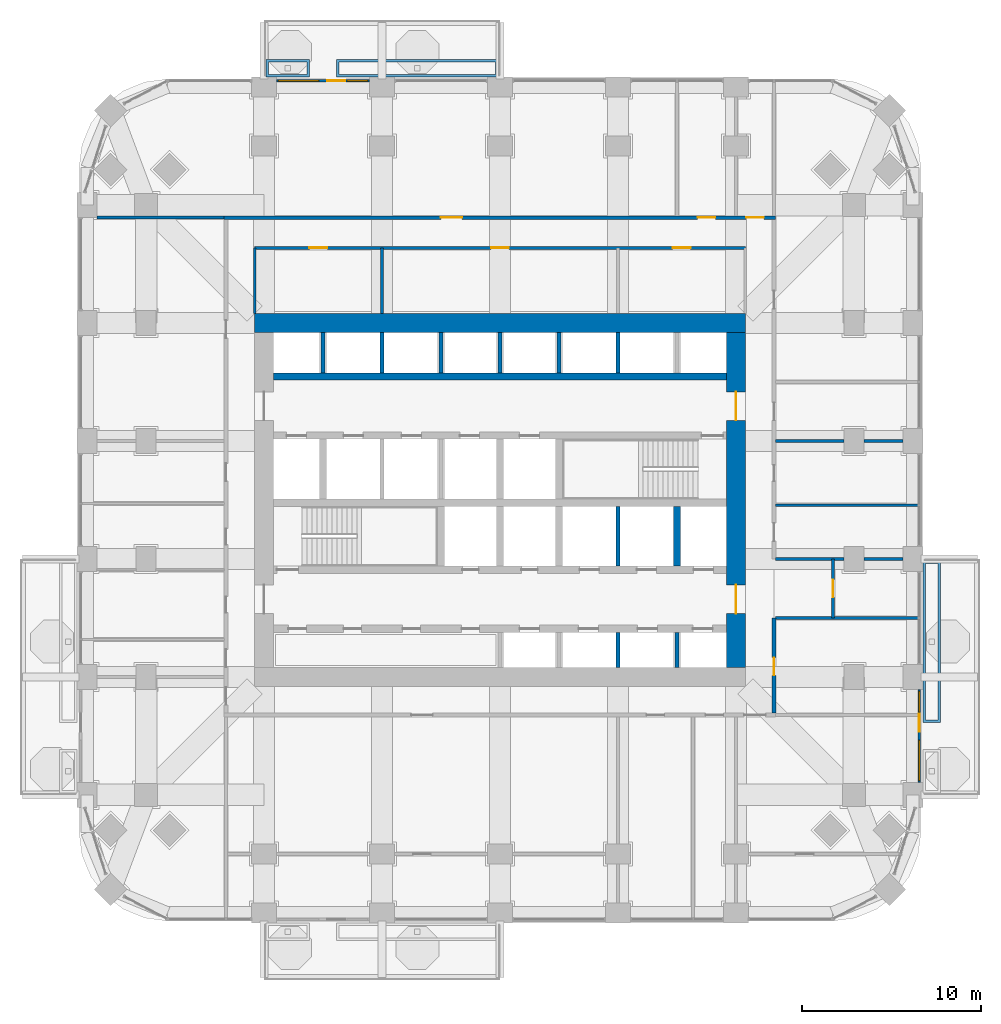
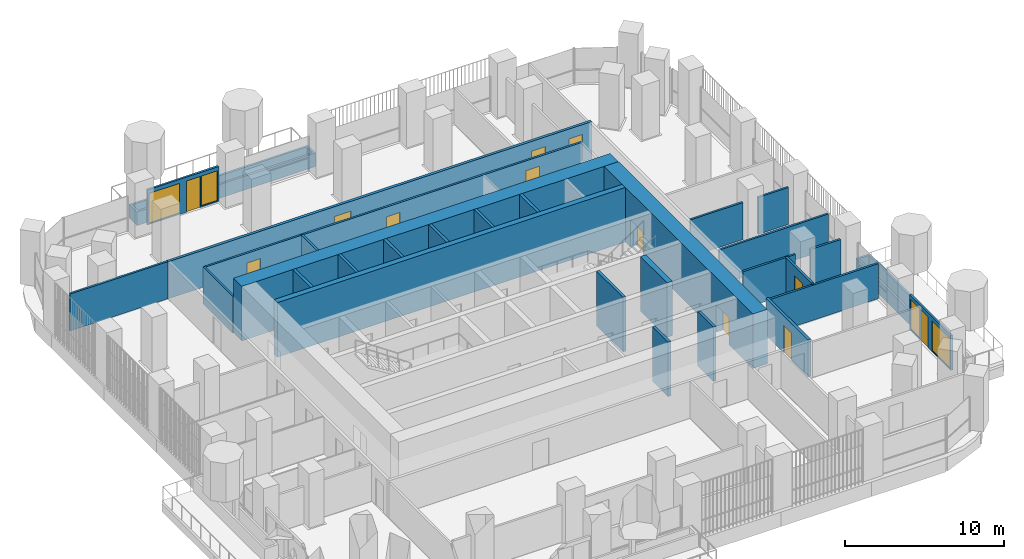
# One storey, part 15 of 21: 31 walls, 12 doors, 4 windows, 16 openings.
"""IFC4 building model written with IfcOpenShell, lengths in metres."""

from ifc_helpers import new_model, si_unit, direction, frame, frame_2d, origin, place, context, subcontext, project, spatial, polyline, rectangle, outline, extrude, material, layer, layer_set, type_object, element, fill, save


model = new_model("IFC4")

# Units and contexts
model_context = context("Model", 3, precision=1e-05, world=origin(), true_north=direction((0.0, 1.0)))
body_context = subcontext(model_context, "Body", "Model", "MODEL_VIEW")
ifc_project = project(units=[si_unit("LENGTHUNIT", "METRE"), si_unit("AREAUNIT", "SQUARE_METRE"), si_unit("VOLUMEUNIT", "CUBIC_METRE"), si_unit("PLANEANGLEUNIT", "RADIAN"), si_unit("MASSUNIT", "GRAM", prefix="KILO")], contexts=[model_context])

# Site, building, storey
site_placement = place(None, origin())
site = spatial("IfcSite", under=ifc_project, at=site_placement, CompositionType="ELEMENT")
building_placement = place(site_placement, origin())
building = spatial("IfcBuilding", under=site, at=building_placement, Name="Cobogo Forest Laboratory Tower", CompositionType="ELEMENT")
storey_placement = place(building_placement, frame((0.0, 0.0, 124.199951171875)))
storey = spatial("IfcBuildingStorey", under=building, at=storey_placement, Name="L28", CompositionType="ELEMENT", Elevation=124.199951171875)

# Walls
ifc_material_1 = material(Name="Concrete HA-50 (C50/60)", Category="concrete")
ifc_layer_1 = layer(ifc_material_1, 0.39990234375)
ifc_layer_set_1 = layer_set([ifc_layer_1], Name="CI400 core inner wall 400")
wall_type_1 = type_object("IfcWallType", Name="CI400 core inner wall 400", PredefinedType="SHEAR", material=ifc_layer_set_1)
wall_1_placement = place(storey_placement, frame((13.72509765625, 30.0, 0.0), z_axis=(0.0, 0.0, 1.0), x_axis=(1.0, 0.0, 0.0)))
element("IfcWall", 1, at=wall_1_placement, inside=storey, type_object=wall_type_1, Name="Core wall CI-30.0 L28", PredefinedType="SHEAR", context=body_context, shape_type="SweptSolid", body=[
    extrude(rectangle(XDim=25.349853515625, YDim=0.39990234375, at=frame_2d((12.6748046875, 0.0))), origin(), (0.0, 0.0, 1.0), 4.199951171875),
])
wall_2_placement = place(storey_placement, frame((36.300048828125, 19.39990234375, 0.0), z_axis=(0.0, 0.0, 1.0), x_axis=(0.0, 1.0, 0.0)))
element("IfcWall", 2, at=wall_2_placement, inside=storey, type_object=wall_type_1, Name="Core wall CX-36.3 L28", PredefinedType="SHEAR", context=body_context, shape_type="SweptSolid", body=[
    extrude(rectangle(XDim=3.35009765625, YDim=0.39990234375, at=frame_2d((1.675048828125, 0.0))), origin(), (0.0, 0.0, 1.0), 4.199951171875),
])

# Wall, openings, doors
ifc_layer_2 = layer(ifc_material_1, 1.050048828125)
ifc_layer_set_2 = layer_set([ifc_layer_2], Name="CW1050 core outer wall 1050")
wall_type_2 = type_object("IfcWallType", Name="CW1050 core outer wall 1050", PredefinedType="SHEAR", material=ifc_layer_set_2)
wall_3_placement = place(storey_placement, frame((39.60009765625, 13.72509765625, 0.0), z_axis=(0.0, 0.0, 1.0), x_axis=(0.0, 1.0, 0.0)))
wall_3 = element("IfcWall", 3, at=wall_3_placement, inside=storey, type_object=wall_type_2, Name="Core wall CO-E L28", PredefinedType="SHEAR", context=body_context, shape_type="SweptSolid", body=[
    extrude(rectangle(XDim=18.75, YDim=1.050048828125, at=frame_2d((9.375, 0.0))), origin(), (0.0, 0.0, 1.0), 4.199951171875),
])
opening_1_placement = place(wall_3_placement, frame((3.02490234375, 0.0, 0.0)))
opening_1 = element("IfcOpeningElement", 4, at=opening_1_placement, cuts=wall_3, Name="Opening L28-D19", PredefinedType="OPENING", context=body_context, shape_type="SweptSolid", body=[
    extrude(rectangle(XDim=1.60009765625, YDim=2.10009765625, at=frame_2d((0.800048828125, 1.050048828125))), frame((0.0, 0.534912109375, 0.0), z_axis=(0.0, -1.0, 0.0), x_axis=(1.0, 0.0, 0.0)), (0.0, 0.0, 1.0), 1.070068359375),
])
opening_2_placement = place(wall_3_placement, frame((13.824951171875, 0.0, 0.0)))
opening_2 = element("IfcOpeningElement", 5, at=opening_2_placement, cuts=wall_3, Name="Opening L28-D31", PredefinedType="OPENING", context=body_context, shape_type="SweptSolid", body=[
    extrude(rectangle(XDim=1.60009765625, YDim=2.10009765625, at=frame_2d((0.800048828125, 1.050048828125))), frame((0.0, 0.534912109375, 0.0), z_axis=(0.0, -1.0, 0.0), x_axis=(1.0, 0.0, 0.0)), (0.0, 0.0, 1.0), 1.070068359375),
])
ifc_material_2 = material(Name="Steel fire door", Category="steel")
door_type_1 = type_object("IfcDoorType", Name="DS2 protected lobby door pair 1600 EI2 60", OperationType="DOUBLE_DOOR_DOUBLE_SWING", PredefinedType="DOOR", material=ifc_material_2)
door_1_placement = place(opening_1_placement, origin())
door_1 = element("IfcDoor", 6, at=door_1_placement, inside=storey, type_object=door_type_1, Name="Door L28-CO-E-S", OperationType="DOUBLE_DOOR_DOUBLE_SWING", OverallHeight=2.10009765625, OverallWidth=1.60009765625, PredefinedType="DOOR", context=body_context, shape_type="SweptSolid", body=[
    extrude(rectangle(XDim=1.60009765625, YDim=2.10009765625, at=frame_2d((0.800048828125, 1.050048828125))), frame((0.0, 0.02490234375, 0.0), z_axis=(0.0, -1.0, 0.0), x_axis=(1.0, 0.0, 0.0)), (0.0, 0.0, 1.0), 0.050048828125),
])
fill(opening_1, door_1)
door_2_placement = place(opening_2_placement, origin())
door_2 = element("IfcDoor", 7, at=door_2_placement, inside=storey, type_object=door_type_1, Name="Door L28-CO-E-N", OperationType="DOUBLE_DOOR_DOUBLE_SWING", OverallHeight=2.10009765625, OverallWidth=1.60009765625, PredefinedType="DOOR", context=body_context, shape_type="SweptSolid", body=[
    extrude(rectangle(XDim=1.60009765625, YDim=2.10009765625, at=frame_2d((0.800048828125, 1.050048828125))), frame((0.0, 0.02490234375, 0.0), z_axis=(0.0, -1.0, 0.0), x_axis=(1.0, 0.0, 0.0)), (0.0, 0.0, 1.0), 0.050048828125),
])
fill(opening_2, door_2)

# Wall
wall_4_placement = place(storey_placement, frame((40.125, 33.0, 0.0), z_axis=(0.0, 0.0, 1.0), x_axis=(-1.0, 0.0, 0.0)))
element("IfcWall", 8, at=wall_4_placement, inside=storey, type_object=wall_type_2, Name="Core wall CO-N L28", PredefinedType="SHEAR", context=body_context, shape_type="SweptSolid", body=[
    extrude(rectangle(XDim=27.449951171875, YDim=1.050048828125, at=frame_2d((13.72509765625, 0.0))), origin(), (0.0, 0.0, 1.0), 4.199951171875),
])

# Wall, openings, door, windows
ifc_material_3 = material(Name="Aluminium framed glazed screen", Category="aluminium")
ifc_layer_3 = layer(ifc_material_3, 0.14990234375)
ifc_layer_set_3 = layer_set([ifc_layer_3], Name="GS1 glazed door screen 150")
wall_type_3 = type_object("IfcWallType", Name="GS1 glazed door screen 150", PredefinedType="SOLIDWALL", material=ifc_layer_set_3)
wall_5_placement = place(storey_placement, frame((49.85009765625, 7.300048828125, 0.0), z_axis=(0.0, 0.0, 1.0), x_axis=(0.0, 1.0, 0.0)))
wall_5 = element("IfcWall", 9, at=wall_5_placement, inside=storey, type_object=wall_type_3, Name="Door screen BAL-E1 L28", PredefinedType="SOLIDWALL", context=body_context, shape_type="SweptSolid", body=[
    extrude(rectangle(XDim=5.199951171875, YDim=0.14990234375, at=frame_2d((2.60009765625, 0.0))), origin(), (0.0, 0.0, 1.0), 2.699951171875),
])
opening_3_placement = place(wall_5_placement, frame((2.85009765625, 0.0, 0.0)))
opening_3 = element("IfcOpeningElement", 10, at=opening_3_placement, cuts=wall_5, Name="Opening L28-D05", PredefinedType="OPENING", context=body_context, shape_type="SweptSolid", body=[
    extrude(rectangle(XDim=1.0, YDim=2.39990234375, at=frame_2d((0.5, 1.199951171875))), frame((0.0, 0.0849609375, 0.0), z_axis=(0.0, -1.0, 0.0), x_axis=(1.0, 0.0, 0.0)), (0.0, 0.0, 1.0), 0.169921875),
])
opening_4_placement = place(wall_5_placement, frame((0.10009765625, 0.0, 0.10009765625)))
opening_4 = element("IfcOpeningElement", 11, at=opening_4_placement, cuts=wall_5, Name="Opening L28-W04", PredefinedType="OPENING", context=body_context, shape_type="SweptSolid", body=[
    extrude(rectangle(XDim=2.25, YDim=2.300048828125, at=frame_2d((1.125, 1.14990234375))), frame((0.0, 0.0849609375, 0.0), z_axis=(0.0, -1.0, 0.0), x_axis=(1.0, 0.0, 0.0)), (0.0, 0.0, 1.0), 0.169921875),
])
opening_5_placement = place(wall_5_placement, frame((3.949951171875, 0.0, 0.10009765625)))
opening_5 = element("IfcOpeningElement", 12, at=opening_5_placement, cuts=wall_5, Name="Opening L28-W06", PredefinedType="OPENING", context=body_context, shape_type="SweptSolid", body=[
    extrude(rectangle(XDim=1.14990234375, YDim=2.300048828125, at=frame_2d((0.574951171875, 1.14990234375))), frame((0.0, 0.0849609375, 0.0), z_axis=(0.0, -1.0, 0.0), x_axis=(1.0, 0.0, 0.0)), (0.0, 0.0, 1.0), 0.169921875),
])
ifc_material_4 = material(Name="Aluminium glazed door", Category="aluminium")
door_type_2 = type_object("IfcDoorType", Name="DB1 balcony door 1000 glazed", OperationType="SINGLE_SWING_LEFT", PredefinedType="DOOR", material=ifc_material_4)
door_3_placement = place(opening_3_placement, origin())
door_3 = element("IfcDoor", 13, at=door_3_placement, inside=storey, type_object=door_type_2, Name="Door L28-BAL-E1", OperationType="SINGLE_SWING_RIGHT", OverallHeight=2.39990234375, OverallWidth=1.0, PredefinedType="DOOR", context=body_context, shape_type="SweptSolid", body=[
    extrude(rectangle(XDim=1.0, YDim=2.39990234375, at=frame_2d((0.5, 1.199951171875))), frame((0.0, 0.02490234375, 0.0), z_axis=(0.0, -1.0, 0.0), x_axis=(1.0, 0.0, 0.0)), (0.0, 0.0, 1.0), 0.050048828125),
])
fill(opening_3, door_3)
ifc_material_5 = material(Name="Aluminium framed glazing", Category="aluminium")
window_type_1 = type_object("IfcWindowType", Name="WG15 fixed glazed light 2250x2300", PartitioningType="SINGLE_PANEL", PredefinedType="WINDOW", material=ifc_material_5)
window_1_placement = place(opening_4_placement, origin())
window_1 = element("IfcWindow", 14, at=window_1_placement, inside=storey, type_object=window_type_1, Name="Window L28-BAL-E1-1", OverallHeight=2.300048828125, OverallWidth=2.25, PartitioningType="SINGLE_PANEL", PredefinedType="WINDOW", context=body_context, shape_type="SweptSolid", body=[
    extrude(rectangle(XDim=2.25, YDim=2.300048828125, at=frame_2d((1.125, 1.14990234375))), frame((0.0, 0.030029296875, 0.0), z_axis=(0.0, -1.0, 0.0), x_axis=(1.0, 0.0, 0.0)), (0.0, 0.0, 1.0), 0.06005859375),
])
fill(opening_4, window_1)
window_type_2 = type_object("IfcWindowType", Name="WG16 fixed glazed light 1150x2300", PartitioningType="SINGLE_PANEL", PredefinedType="WINDOW", material=ifc_material_5)
window_2_placement = place(opening_5_placement, origin())
window_2 = element("IfcWindow", 15, at=window_2_placement, inside=storey, type_object=window_type_2, Name="Window L28-BAL-E1-2", OverallHeight=2.300048828125, OverallWidth=1.14990234375, PartitioningType="SINGLE_PANEL", PredefinedType="WINDOW", context=body_context, shape_type="SweptSolid", body=[
    extrude(rectangle(XDim=1.14990234375, YDim=2.300048828125, at=frame_2d((0.574951171875, 1.14990234375))), frame((0.0, 0.030029296875, 0.0), z_axis=(0.0, -1.0, 0.0), x_axis=(1.0, 0.0, 0.0)), (0.0, 0.0, 1.0), 0.06005859375),
])
fill(opening_5, window_2)

wall_6_placement = place(storey_placement, frame((19.10009765625, 46.550048828125, 0.0), z_axis=(0.0, 0.0, 1.0), x_axis=(-1.0, 0.0, 0.0)))
wall_6 = element("IfcWall", 16, at=wall_6_placement, inside=storey, type_object=wall_type_3, Name="Door screen BAL-N1 L28", PredefinedType="SOLIDWALL", context=body_context, shape_type="SweptSolid", body=[
    extrude(rectangle(XDim=5.2001953125, YDim=0.14990234375, at=frame_2d((2.60009765625, 0.0))), origin(), (0.0, 0.0, 1.0), 2.699951171875),
])
opening_6_placement = place(wall_6_placement, frame((1.35009765625, 0.0, 0.0)))
opening_6 = element("IfcOpeningElement", 17, at=opening_6_placement, cuts=wall_6, Name="Opening L28-D40", PredefinedType="OPENING", context=body_context, shape_type="SweptSolid", body=[
    extrude(rectangle(XDim=1.0, YDim=2.39990234375, at=frame_2d((0.5, 1.199951171875))), frame((0.0, 0.0849609375, 0.0), z_axis=(0.0, -1.0, 0.0), x_axis=(1.0, 0.0, 0.0)), (0.0, 0.0, 1.0), 0.169921875),
])
opening_7_placement = place(wall_6_placement, frame((0.10009765625, 0.0, 0.10009765625)))
opening_7 = element("IfcOpeningElement", 18, at=opening_7_placement, cuts=wall_6, Name="Opening L28-W08", PredefinedType="OPENING", context=body_context, shape_type="SweptSolid", body=[
    extrude(rectangle(XDim=1.14990234375, YDim=2.300048828125, at=frame_2d((0.574951171875, 1.14990234375))), frame((0.0, 0.0849609375, 0.0), z_axis=(0.0, -1.0, 0.0), x_axis=(1.0, 0.0, 0.0)), (0.0, 0.0, 1.0), 0.169921875),
])
opening_8_placement = place(wall_6_placement, frame((2.85009765625, 0.0, 0.10009765625)))
opening_8 = element("IfcOpeningElement", 19, at=opening_8_placement, cuts=wall_6, Name="Opening L28-W07", PredefinedType="OPENING", context=body_context, shape_type="SweptSolid", body=[
    extrude(rectangle(XDim=2.25, YDim=2.300048828125, at=frame_2d((1.125, 1.14990234375))), frame((0.0, 0.0849609375, 0.0), z_axis=(0.0, -1.0, 0.0), x_axis=(1.0, 0.0, 0.0)), (0.0, 0.0, 1.0), 0.169921875),
])
door_4_placement = place(opening_6_placement, origin())
door_4 = element("IfcDoor", 20, at=door_4_placement, inside=storey, type_object=door_type_2, Name="Door L28-BAL-N1", OperationType="SINGLE_SWING_LEFT", OverallHeight=2.39990234375, OverallWidth=1.0, PredefinedType="DOOR", context=body_context, shape_type="SweptSolid", body=[
    extrude(rectangle(XDim=1.0, YDim=2.39990234375, at=frame_2d((0.5, 1.199951171875))), frame((0.0, 0.02490234375, 0.0), z_axis=(0.0, -1.0, 0.0), x_axis=(1.0, 0.0, 0.0)), (0.0, 0.0, 1.0), 0.050048828125),
])
fill(opening_6, door_4)
window_3_placement = place(opening_8_placement, origin())
window_3 = element("IfcWindow", 21, at=window_3_placement, inside=storey, type_object=window_type_1, Name="Window L28-BAL-N1-2", OverallHeight=2.300048828125, OverallWidth=2.25, PartitioningType="SINGLE_PANEL", PredefinedType="WINDOW", context=body_context, shape_type="SweptSolid", body=[
    extrude(rectangle(XDim=2.25, YDim=2.300048828125, at=frame_2d((1.125, 1.14990234375))), frame((0.0, 0.030029296875, 0.0), z_axis=(0.0, -1.0, 0.0), x_axis=(1.0, 0.0, 0.0)), (0.0, 0.0, 1.0), 0.06005859375),
])
fill(opening_8, window_3)
window_4_placement = place(opening_7_placement, origin())
window_4 = element("IfcWindow", 22, at=window_4_placement, inside=storey, type_object=window_type_2, Name="Window L28-BAL-N1-1", OverallHeight=2.300048828125, OverallWidth=1.14990234375, PartitioningType="SINGLE_PANEL", PredefinedType="WINDOW", context=body_context, shape_type="SweptSolid", body=[
    extrude(rectangle(XDim=1.14990234375, YDim=2.300048828125, at=frame_2d((0.574951171875, 1.14990234375))), frame((0.0, 0.030029296875, 0.0), z_axis=(0.0, -1.0, 0.0), x_axis=(1.0, 0.0, 0.0)), (0.0, 0.0, 1.0), 0.06005859375),
])
fill(opening_7, window_4)

# Wall, openings, doors
ifc_material_6 = material(Name="Gypsum board on steel studs", Category="steel")
ifc_layer_4 = layer(ifc_material_6, 0.14990234375)
ifc_layer_set_4 = layer_set([ifc_layer_4], Name="PT1 laboratory partition 150")
wall_type_4 = type_object("IfcWallType", Name="PT1 laboratory partition 150", PredefinedType="PARTITIONING", material=ifc_layer_set_4)
wall_7_placement = place(storey_placement, frame((12.675048828125, 37.199951171875, 0.0), z_axis=(0.0, 0.0, 1.0), x_axis=(1.0, 0.0, 0.0)))
wall_7 = element("IfcWall", 23, at=wall_7_placement, inside=storey, type_object=wall_type_4, Name="Partition CSTRIP-N L28", PredefinedType="PARTITIONING", context=body_context, shape_type="SweptSolid", body=[
    extrude(rectangle(XDim=27.449951171875, YDim=0.14990234375, at=frame_2d((13.72509765625, 0.0))), origin(), (0.0, 0.0, 1.0), 2.85009765625),
])
opening_9_placement = place(wall_7_placement, frame((3.0625, 0.0, 0.0)))
opening_9 = element("IfcOpeningElement", 24, at=opening_9_placement, cuts=wall_7, Name="Opening L28-D34", PredefinedType="OPENING", context=body_context, shape_type="SweptSolid", body=[
    extrude(rectangle(XDim=1.0, YDim=2.10009765625, at=frame_2d((0.5, 1.050048828125))), frame((0.0, 0.0849609375, 0.0), z_axis=(0.0, -1.0, 0.0), x_axis=(1.0, 0.0, 0.0)), (0.0, 0.0, 1.0), 0.169921875),
])
opening_10_placement = place(wall_7_placement, frame((13.22509765625, 0.0, 0.0)))
opening_10 = element("IfcOpeningElement", 25, at=opening_10_placement, cuts=wall_7, Name="Opening L28-D35", PredefinedType="OPENING", context=body_context, shape_type="SweptSolid", body=[
    extrude(rectangle(XDim=1.0, YDim=2.10009765625, at=frame_2d((0.5, 1.050048828125))), frame((0.0, 0.0849609375, 0.0), z_axis=(0.0, -1.0, 0.0), x_axis=(1.0, 0.0, 0.0)), (0.0, 0.0, 1.0), 0.169921875),
])
opening_11_placement = place(wall_7_placement, frame((23.387451171875, 0.0, 0.0)))
opening_11 = element("IfcOpeningElement", 26, at=opening_11_placement, cuts=wall_7, Name="Opening L28-D36", PredefinedType="OPENING", context=body_context, shape_type="SweptSolid", body=[
    extrude(rectangle(XDim=1.0, YDim=2.10009765625, at=frame_2d((0.5, 1.050048828125))), frame((0.0, 0.0849609375, 0.0), z_axis=(0.0, -1.0, 0.0), x_axis=(1.0, 0.0, 0.0)), (0.0, 0.0, 1.0), 0.169921875),
])
ifc_material_7 = material(Name="Timber fire door", Category="wood")
door_type_3 = type_object("IfcDoorType", Name="FD2 fire door 1000 EI2 30", OperationType="SINGLE_SWING_LEFT", PredefinedType="DOOR", material=ifc_material_7)
door_5_placement = place(opening_9_placement, origin())
door_5 = element("IfcDoor", 27, at=door_5_placement, inside=storey, type_object=door_type_3, Name="Door L28-CSN1", OperationType="SINGLE_SWING_LEFT", OverallHeight=2.10009765625, OverallWidth=1.0, PredefinedType="DOOR", context=body_context, shape_type="SweptSolid", body=[
    extrude(rectangle(XDim=1.0, YDim=2.10009765625, at=frame_2d((0.5, 1.050048828125))), frame((0.0, 0.02490234375, 0.0), z_axis=(0.0, -1.0, 0.0), x_axis=(1.0, 0.0, 0.0)), (0.0, 0.0, 1.0), 0.050048828125),
])
fill(opening_9, door_5)
door_6_placement = place(opening_10_placement, origin())
door_6 = element("IfcDoor", 28, at=door_6_placement, inside=storey, type_object=door_type_3, Name="Door L28-CSN2", OperationType="SINGLE_SWING_RIGHT", OverallHeight=2.10009765625, OverallWidth=1.0, PredefinedType="DOOR", context=body_context, shape_type="SweptSolid", body=[
    extrude(rectangle(XDim=1.0, YDim=2.10009765625, at=frame_2d((0.5, 1.050048828125))), frame((0.0, 0.02490234375, 0.0), z_axis=(0.0, -1.0, 0.0), x_axis=(1.0, 0.0, 0.0)), (0.0, 0.0, 1.0), 0.050048828125),
])
fill(opening_10, door_6)
door_7_placement = place(opening_11_placement, origin())
door_7 = element("IfcDoor", 29, at=door_7_placement, inside=storey, type_object=door_type_3, Name="Door L28-CSN3", OperationType="SINGLE_SWING_RIGHT", OverallHeight=2.10009765625, OverallWidth=1.0, PredefinedType="DOOR", context=body_context, shape_type="SweptSolid", body=[
    extrude(rectangle(XDim=1.0, YDim=2.10009765625, at=frame_2d((0.5, 1.050048828125))), frame((0.0, 0.02490234375, 0.0), z_axis=(0.0, -1.0, 0.0), x_axis=(1.0, 0.0, 0.0)), (0.0, 0.0, 1.0), 0.050048828125),
])
fill(opening_11, door_7)

# Walls
for number, where, z_axis, x_axis, name in (
    (30, (12.675048828125, 33.52490234375, 0.0), (0.0, 0.0, 1.0), (0.0, 1.0, 0.0), "Partition CSTRIP-NW L28"),
    (31, (19.800048828125, 33.52490234375, 0.0), (0.0, 0.0, 1.0), (0.0, 1.0, 0.0), "Partition CSTRIP-N19.8 L28"),
):
    element("IfcWall", number, at=place(storey_placement, frame(where, z_axis=z_axis, x_axis=x_axis)), inside=storey, type_object=wall_type_4, Name=name, PredefinedType="PARTITIONING", context=body_context, shape_type="SweptSolid", body=[
        extrude(rectangle(XDim=3.675048828125, YDim=0.14990234375, at=frame_2d((1.83740234375, 0.0))), origin(), (0.0, 0.0, 1.0), 2.85009765625),
    ])
wall_8_placement = place(storey_placement, frame((3.85009765625, 38.89990234375, 0.0), z_axis=(0.0, 0.0, 1.0), x_axis=(1.0, 0.0, 0.0)))
element("IfcWall", 32, at=wall_8_placement, inside=storey, type_object=wall_type_4, Name="Partition PW-NW L28", PredefinedType="PARTITIONING", context=body_context, shape_type="SweptSolid", body=[
    extrude(rectangle(XDim=7.125, YDim=0.14990234375, at=frame_2d((3.5625, 0.0))), origin(), (0.0, 0.0, 1.0), 2.85009765625),
])

# Wall, opening, door
wall_9_placement = place(storey_placement, frame((45.02490234375, 16.5, 0.0), z_axis=(0.0, 0.0, 1.0), x_axis=(0.0, 1.0, 0.0)))
wall_9 = element("IfcWall", 33, at=wall_9_placement, inside=storey, type_object=wall_type_4, Name="Partition NODE-E-1 L28", PredefinedType="PARTITIONING", context=body_context, shape_type="SweptSolid", body=[
    extrude(rectangle(XDim=3.300048828125, YDim=0.14990234375, at=frame_2d((1.64990234375, 0.0))), origin(), (0.0, 0.0, 1.0), 2.85009765625),
])
opening_12_placement = place(wall_9_placement, frame((1.14990234375, 0.0, 0.0)))
opening_12 = element("IfcOpeningElement", 34, at=opening_12_placement, cuts=wall_9, Name="Opening L28-D20", PredefinedType="OPENING", context=body_context, shape_type="SweptSolid", body=[
    extrude(rectangle(XDim=1.0, YDim=2.10009765625, at=frame_2d((0.5, 1.050048828125))), frame((0.0, 0.0849609375, 0.0), z_axis=(0.0, -1.0, 0.0), x_axis=(1.0, 0.0, 0.0)), (0.0, 0.0, 1.0), 0.169921875),
])
door_8_placement = place(opening_12_placement, origin())
door_8 = element("IfcDoor", 35, at=door_8_placement, inside=storey, type_object=door_type_3, Name="Door L28-E2", OperationType="SINGLE_SWING_LEFT", OverallHeight=2.10009765625, OverallWidth=1.0, PredefinedType="DOOR", context=body_context, shape_type="SweptSolid", body=[
    extrude(rectangle(XDim=1.0, YDim=2.10009765625, at=frame_2d((0.5, 1.050048828125))), frame((0.0, 0.02490234375, 0.0), z_axis=(0.0, -1.0, 0.0), x_axis=(1.0, 0.0, 0.0)), (0.0, 0.0, 1.0), 0.050048828125),
])
fill(opening_12, door_8)

# Walls
wall_10_placement = place(storey_placement, frame((49.77001953125, 22.800048828125, 0.0), z_axis=(0.0, 0.0, 1.0), x_axis=(-1.0, 0.0, 0.0)))
element("IfcWall", 36, at=wall_10_placement, inside=storey, type_object=wall_type_4, Name="Partition SVC-E1-1 L28", PredefinedType="PARTITIONING", context=body_context, shape_type="SweptSolid", body=[
    extrude(rectangle(XDim=7.945068359375, YDim=0.14990234375, at=frame_2d((3.97265625, 0.0))), origin(), (0.0, 0.0, 1.0), 2.699951171875),
])
wall_11_placement = place(storey_placement, frame((48.949951171875, 26.39990234375, 0.0), z_axis=(0.0, 0.0, 1.0), x_axis=(-1.0, 0.0, 0.0)))
element("IfcWall", 37, at=wall_11_placement, inside=storey, type_object=wall_type_4, Name="Partition SVC-E2-1 L28", PredefinedType="PARTITIONING", context=body_context, shape_type="SweptSolid", body=[
    extrude(rectangle(XDim=2.199951171875, YDim=0.14990234375, at=frame_2d((1.10009765625, 0.0))), origin(), (0.0, 0.0, 1.0), 2.85009765625),
])
wall_12_placement = place(storey_placement, frame((45.64990234375, 26.39990234375, 0.0), z_axis=(0.0, 0.0, 1.0), x_axis=(-1.0, 0.0, 0.0)))
element("IfcWall", 38, at=wall_12_placement, inside=storey, type_object=wall_type_4, Name="Partition SVC-E2-2 L28", PredefinedType="PARTITIONING", context=body_context, shape_type="SweptSolid", body=[
    extrude(rectangle(XDim=3.824951171875, YDim=0.14990234375, at=frame_2d((1.91259765625, 0.0))), origin(), (0.0, 0.0, 1.0), 2.85009765625),
])
wall_13_placement = place(storey_placement, frame((49.77001953125, 16.5, 0.0), z_axis=(0.0, 0.0, 1.0), x_axis=(-1.0, 0.0, 0.0)))
element("IfcWall", 39, at=wall_13_placement, inside=storey, type_object=wall_type_4, Name="Partition CUT-E16.5-1 L28", PredefinedType="PARTITIONING", context=body_context, shape_type="SweptSolid", body=[
    extrude(rectangle(XDim=7.945068359375, YDim=0.14990234375, at=frame_2d((3.97265625, 0.0))), origin(), (0.0, 0.0, 1.0), 2.699951171875),
])
wall_14_placement = place(storey_placement, frame((48.949951171875, 19.800048828125, 0.0), z_axis=(0.0, 0.0, 1.0), x_axis=(-1.0, 0.0, 0.0)))
element("IfcWall", 40, at=wall_14_placement, inside=storey, type_object=wall_type_4, Name="Partition CUT-E19.8-1 L28", PredefinedType="PARTITIONING", context=body_context, shape_type="SweptSolid", body=[
    extrude(rectangle(XDim=2.199951171875, YDim=0.14990234375, at=frame_2d((1.10009765625, 0.0))), origin(), (0.0, 0.0, 1.0), 2.85009765625),
])
wall_15_placement = place(storey_placement, frame((45.64990234375, 19.800048828125, 0.0), z_axis=(0.0, 0.0, 1.0), x_axis=(-1.0, 0.0, 0.0)))
element("IfcWall", 41, at=wall_15_placement, inside=storey, type_object=wall_type_4, Name="Partition CUT-E19.8-2 L28", PredefinedType="PARTITIONING", context=body_context, shape_type="SweptSolid", body=[
    extrude(rectangle(XDim=3.824951171875, YDim=0.14990234375, at=frame_2d((1.91259765625, 0.0))), origin(), (0.0, 0.0, 1.0), 2.85009765625),
])

# Wall, openings, doors
ifc_layer_5 = layer(ifc_material_6, 0.199951171875)
ifc_layer_set_5 = layer_set([ifc_layer_5], Name="PT2 fire-rated corridor partition 200")
wall_type_5 = type_object("IfcWallType", Name="PT2 fire-rated corridor partition 200", PredefinedType="PARTITIONING", material=ifc_layer_set_5)
wall_16_placement = place(storey_placement, frame((10.97509765625, 38.89990234375, 0.0), z_axis=(0.0, 0.0, 1.0), x_axis=(1.0, 0.0, 0.0)))
wall_16 = element("IfcWall", 42, at=wall_16_placement, inside=storey, type_object=wall_type_5, Name="Partition CORR-N L28", PredefinedType="PARTITIONING", context=body_context, shape_type="SweptSolid", body=[
    extrude(rectangle(XDim=30.849853515625, YDim=0.199951171875, at=frame_2d((15.4248046875, 0.0))), origin(), (0.0, 0.0, 1.0), 2.85009765625),
])
opening_13_placement = place(wall_16_placement, frame((12.112548828125, 0.0, 0.0)))
opening_13 = element("IfcOpeningElement", 43, at=opening_13_placement, cuts=wall_16, Name="Opening L28-D37", PredefinedType="OPENING", context=body_context, shape_type="SweptSolid", body=[
    extrude(rectangle(XDim=1.199951171875, YDim=2.10009765625, at=frame_2d((0.60009765625, 1.050048828125))), frame((0.0, 0.10986328125, 0.0), z_axis=(0.0, -1.0, 0.0), x_axis=(1.0, 0.0, 0.0)), (0.0, 0.0, 1.0), 0.219970703125),
])
opening_14_placement = place(wall_16_placement, frame((26.47509765625, 0.0, 0.0)))
opening_14 = element("IfcOpeningElement", 44, at=opening_14_placement, cuts=wall_16, Name="Opening L28-D38", PredefinedType="OPENING", context=body_context, shape_type="SweptSolid", body=[
    extrude(rectangle(XDim=1.0, YDim=2.10009765625, at=frame_2d((0.5, 1.050048828125))), frame((0.0, 0.10986328125, 0.0), z_axis=(0.0, -1.0, 0.0), x_axis=(1.0, 0.0, 0.0)), (0.0, 0.0, 1.0), 0.219970703125),
])
opening_15_placement = place(wall_16_placement, frame((29.1875, 0.0, 0.0)))
opening_15 = element("IfcOpeningElement", 45, at=opening_15_placement, cuts=wall_16, Name="Opening L28-D39", PredefinedType="OPENING", context=body_context, shape_type="SweptSolid", body=[
    extrude(rectangle(XDim=1.0, YDim=2.10009765625, at=frame_2d((0.5, 1.050048828125))), frame((0.0, 0.10986328125, 0.0), z_axis=(0.0, -1.0, 0.0), x_axis=(1.0, 0.0, 0.0)), (0.0, 0.0, 1.0), 0.219970703125),
])
ifc_material_8 = material(Name="Timber door", Category="wood")
door_type_4 = type_object("IfcDoorType", Name="D2 laboratory door 1200 unequal pair", OperationType="DOUBLE_DOOR_SINGLE_SWING", PredefinedType="DOOR", material=ifc_material_8)
door_9_placement = place(opening_13_placement, origin())
door_9 = element("IfcDoor", 46, at=door_9_placement, inside=storey, type_object=door_type_4, Name="Door L28-N1", OperationType="DOUBLE_DOOR_SINGLE_SWING", OverallHeight=2.10009765625, OverallWidth=1.199951171875, PredefinedType="DOOR", context=body_context, shape_type="SweptSolid", body=[
    extrude(rectangle(XDim=1.199951171875, YDim=2.10009765625, at=frame_2d((0.60009765625, 1.050048828125))), frame((0.0, 0.02490234375, 0.0), z_axis=(0.0, -1.0, 0.0), x_axis=(1.0, 0.0, 0.0)), (0.0, 0.0, 1.0), 0.050048828125),
])
fill(opening_13, door_9)
door_10_placement = place(opening_14_placement, origin())
door_10 = element("IfcDoor", 47, at=door_10_placement, inside=storey, type_object=door_type_3, Name="Door L28-N2", OperationType="SINGLE_SWING_RIGHT", OverallHeight=2.10009765625, OverallWidth=1.0, PredefinedType="DOOR", context=body_context, shape_type="SweptSolid", body=[
    extrude(rectangle(XDim=1.0, YDim=2.10009765625, at=frame_2d((0.5, 1.050048828125))), frame((0.0, 0.02490234375, 0.0), z_axis=(0.0, -1.0, 0.0), x_axis=(1.0, 0.0, 0.0)), (0.0, 0.0, 1.0), 0.050048828125),
])
fill(opening_14, door_10)
door_11_placement = place(opening_15_placement, origin())
door_11 = element("IfcDoor", 48, at=door_11_placement, inside=storey, type_object=door_type_3, Name="Door L28-N3", OperationType="SINGLE_SWING_RIGHT", OverallHeight=2.10009765625, OverallWidth=1.0, PredefinedType="DOOR", context=body_context, shape_type="SweptSolid", body=[
    extrude(rectangle(XDim=1.0, YDim=2.10009765625, at=frame_2d((0.5, 1.050048828125))), frame((0.0, 0.02490234375, 0.0), z_axis=(0.0, -1.0, 0.0), x_axis=(1.0, 0.0, 0.0)), (0.0, 0.0, 1.0), 0.050048828125),
])
fill(opening_15, door_11)

# Wall, opening, door
wall_17_placement = place(storey_placement, frame((41.72509765625, 11.175048828125, 0.0), z_axis=(0.0, 0.0, 1.0), x_axis=(0.0, 1.0, 0.0)))
wall_17 = element("IfcWall", 49, at=wall_17_placement, inside=storey, type_object=wall_type_5, Name="Partition CORR-E-1 L28", PredefinedType="PARTITIONING", context=body_context, shape_type="SweptSolid", body=[
    extrude(rectangle(XDim=5.324951171875, YDim=0.199951171875, at=frame_2d((2.66259765625, 0.0))), origin(), (0.0, 0.0, 1.0), 2.85009765625),
])
opening_16_placement = place(wall_17_placement, frame((2.112548828125, 0.0, 0.0)))
opening_16 = element("IfcOpeningElement", 50, at=opening_16_placement, cuts=wall_17, Name="Opening L28-D11", PredefinedType="OPENING", context=body_context, shape_type="SweptSolid", body=[
    extrude(rectangle(XDim=1.0, YDim=2.10009765625, at=frame_2d((0.5, 1.050048828125))), frame((0.0, 0.10986328125, 0.0), z_axis=(0.0, -1.0, 0.0), x_axis=(1.0, 0.0, 0.0)), (0.0, 0.0, 1.0), 0.219970703125),
])
door_12_placement = place(opening_16_placement, origin())
door_12 = element("IfcDoor", 51, at=door_12_placement, inside=storey, type_object=door_type_3, Name="Door L28-E1", OperationType="SINGLE_SWING_LEFT", OverallHeight=2.10009765625, OverallWidth=1.0, PredefinedType="DOOR", context=body_context, shape_type="SweptSolid", body=[
    extrude(rectangle(XDim=1.0, YDim=2.10009765625, at=frame_2d((0.5, 1.050048828125))), frame((0.0, 0.02490234375, 0.0), z_axis=(0.0, -1.0, 0.0), x_axis=(1.0, 0.0, 0.0)), (0.0, 0.0, 1.0), 0.050048828125),
])
fill(opening_16, door_12)

# Walls
ifc_material_9 = material(Name="Concrete HA-40 (C40/50)", Category="concrete")
ifc_layer_6 = layer(ifc_material_9, 0.14990234375)
ifc_layer_set_6 = layer_set([ifc_layer_6], Name="Planter box 1000x1050")
wall_type_6 = type_object("IfcWallType", Name="Planter box 1000x1050", PredefinedType="USERDEFINED", material=ifc_layer_set_6)
wall_18_placement = place(storey_placement, origin())
element("IfcWall", 52, at=wall_18_placement, inside=storey, type_object=wall_type_6, Name="Planter BAL-E1-2 L28", ObjectType="PLANTER", PredefinedType="USERDEFINED", context=body_context, shape_type="SweptSolid", body=[
    extrude(outline(polyline([(50.050048828125, 10.64990234375), (51.050048828125, 10.64990234375), (51.050048828125, 19.699951171875), (50.050048828125, 19.699951171875), (50.050048828125, 10.64990234375)]), holes=[polyline([(50.199951171875, 10.800048828125), (50.89990234375, 10.800048828125), (50.89990234375, 19.550048828125), (50.199951171875, 19.550048828125), (50.199951171875, 10.800048828125)])]), origin(), (0.0, 0.0, 1.0), 1.050048828125),
])
wall_19_placement = place(storey_placement, origin())
element("IfcWall", 53, at=wall_19_placement, inside=storey, type_object=wall_type_6, Name="Planter BAL-N1-1 L28", ObjectType="PLANTER", PredefinedType="USERDEFINED", context=body_context, shape_type="SweptSolid", body=[
    extrude(outline(polyline([(13.300048828125, 46.75), (15.75, 46.75), (15.75, 47.75), (13.300048828125, 47.75), (13.300048828125, 46.75)]), holes=[polyline([(13.449951171875, 46.89990234375), (15.60009765625, 46.89990234375), (15.60009765625, 47.60009765625), (13.449951171875, 47.60009765625), (13.449951171875, 46.89990234375)])]), origin(), (0.0, 0.0, 1.0), 1.050048828125),
])
wall_20_placement = place(storey_placement, origin())
element("IfcWall", 54, at=wall_20_placement, inside=storey, type_object=wall_type_6, Name="Planter BAL-N1-2 L28", ObjectType="PLANTER", PredefinedType="USERDEFINED", context=body_context, shape_type="SweptSolid", body=[
    extrude(outline(polyline([(17.25, 46.75), (26.300048828125, 46.75), (26.300048828125, 47.75), (17.25, 47.75), (17.25, 46.75)]), holes=[polyline([(17.39990234375, 46.89990234375), (26.14990234375, 46.89990234375), (26.14990234375, 47.60009765625), (17.39990234375, 47.60009765625), (17.39990234375, 46.89990234375)])]), origin(), (0.0, 0.0, 1.0), 1.050048828125),
])
ifc_material_10 = material(Name="Concrete block", Category="concrete")
ifc_layer_7 = layer(ifc_material_10, 0.199951171875)
ifc_layer_set_7 = layer_set([ifc_layer_7], Name="SW200 lift shaft separator 200")
wall_type_7 = type_object("IfcWallType", Name="SW200 lift shaft separator 200", PredefinedType="PARTITIONING", material=ifc_layer_set_7)
for number, where, z_axis, x_axis, name in (
    (55, (16.5, 30.199951171875, 0.0), (0.0, 0.0, 1.0), (0.0, 1.0, 0.0), "Core wall SEP-N1 L28"),
    (56, (19.800048828125, 30.199951171875, 0.0), (0.0, 0.0, 1.0), (0.0, 1.0, 0.0), "Core wall SEP-N2 L28"),
    (57, (23.10009765625, 30.199951171875, 0.0), (0.0, 0.0, 1.0), (0.0, 1.0, 0.0), "Core wall SEP-N3 L28"),
    (58, (26.39990234375, 30.199951171875, 0.0), (0.0, 0.0, 1.0), (0.0, 1.0, 0.0), "Core wall SEP-N4 L28"),
    (59, (29.699951171875, 30.199951171875, 0.0), (0.0, 0.0, 1.0), (0.0, 1.0, 0.0), "Core wall SEP-N5 L28"),
):
    element("IfcWall", number, at=place(storey_placement, frame(where, z_axis=z_axis, x_axis=x_axis)), inside=storey, type_object=wall_type_7, Name=name, PredefinedType="PARTITIONING", context=body_context, shape_type="SweptSolid", body=[
        extrude(rectangle(XDim=2.275146484375, YDim=0.199951171875, at=frame_2d((1.1376953125, 0.0))), origin(), (0.0, 0.0, 1.0), 4.199951171875),
    ])
wall_21_placement = place(storey_placement, frame((33.0, 13.72509765625, 0.0), z_axis=(0.0, 0.0, 1.0), x_axis=(0.0, 1.0, 0.0)))
element("IfcWall", 60, at=wall_21_placement, inside=storey, type_object=wall_type_7, Name="Core wall SEP-S6 L28", PredefinedType="PARTITIONING", context=body_context, shape_type="SweptSolid", body=[
    extrude(rectangle(XDim=1.974853515625, YDim=0.199951171875, at=frame_2d((0.9873046875, 0.0))), origin(), (0.0, 0.0, 1.0), 4.199951171875),
])
wall_22_placement = place(storey_placement, frame((33.0, 30.199951171875, 0.0), z_axis=(0.0, 0.0, 1.0), x_axis=(0.0, 1.0, 0.0)))
element("IfcWall", 61, at=wall_22_placement, inside=storey, type_object=wall_type_7, Name="Core wall SEP-N6 L28", PredefinedType="PARTITIONING", context=body_context, shape_type="SweptSolid", body=[
    extrude(rectangle(XDim=2.275146484375, YDim=0.199951171875, at=frame_2d((1.1376953125, 0.0))), origin(), (0.0, 0.0, 1.0), 4.199951171875),
])
wall_23_placement = place(storey_placement, frame((36.300048828125, 13.72509765625, 0.0), z_axis=(0.0, 0.0, 1.0), x_axis=(0.0, 1.0, 0.0)))
element("IfcWall", 62, at=wall_23_placement, inside=storey, type_object=wall_type_7, Name="Core wall SEP-S7 L28", PredefinedType="PARTITIONING", context=body_context, shape_type="SweptSolid", body=[
    extrude(rectangle(XDim=1.974853515625, YDim=0.199951171875, at=frame_2d((0.9873046875, 0.0))), origin(), (0.0, 0.0, 1.0), 4.199951171875),
])
wall_24_placement = place(storey_placement, frame((33.0, 19.39990234375, 0.0), z_axis=(0.0, 0.0, 1.0), x_axis=(0.0, 1.0, 0.0)))
element("IfcWall", 63, at=wall_24_placement, inside=storey, type_object=wall_type_7, Name="Core wall SEP-M33.0 L28", PredefinedType="PARTITIONING", context=body_context, shape_type="SweptSolid", body=[
    extrude(rectangle(XDim=3.35009765625, YDim=0.199951171875, at=frame_2d((1.675048828125, 0.0))), origin(), (0.0, 0.0, 1.0), 4.199951171875),
])

save(model, "model.ifc")
